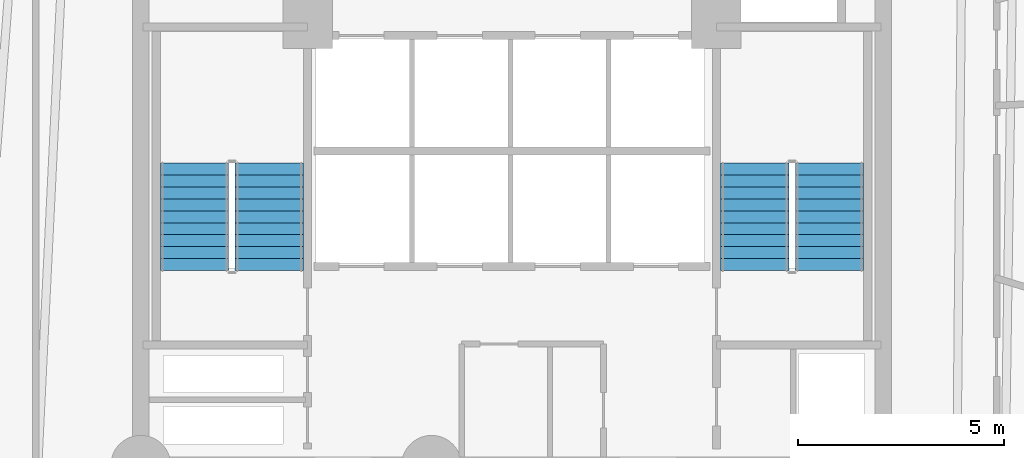
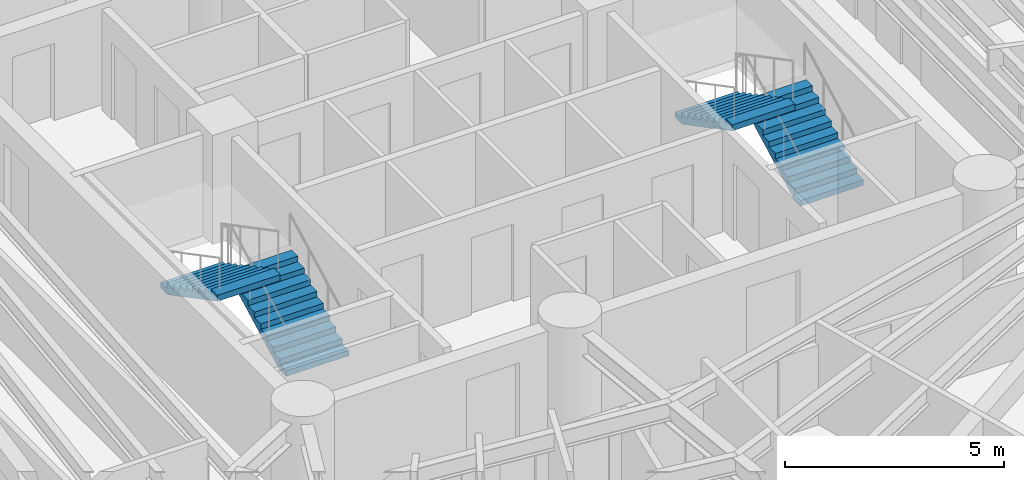
# One storey, part 7 of 8: 4 stair flights, 2 elements without a shape of their own.
"""IFC4 building model written with IfcOpenShell, lengths in metres."""

from ifc_helpers import new_model, si_unit, direction, frame, origin, place, context, subcontext, project, spatial, polyline, outline, extrude, material, type_object, element, aggregate, save


model = new_model("IFC4")

# Units and contexts
model_context = context("Model", 3, precision=1e-05, world=origin(), true_north=direction((0.0, 1.0)))
body_context = subcontext(model_context, "Body", "Model", "MODEL_VIEW")
ifc_project = project(units=[si_unit("LENGTHUNIT", "METRE"), si_unit("AREAUNIT", "SQUARE_METRE"), si_unit("VOLUMEUNIT", "CUBIC_METRE"), si_unit("PLANEANGLEUNIT", "RADIAN"), si_unit("MASSUNIT", "GRAM", prefix="KILO")], contexts=[model_context])

# Site, building, storey
site_placement = place(None, origin())
site = spatial("IfcSite", under=ifc_project, at=site_placement, CompositionType="ELEMENT")
building_placement = place(site_placement, origin())
building = spatial("IfcBuilding", under=site, at=building_placement, Name="Karkom Vertical University and Central Library", CompositionType="ELEMENT")
storey_placement = place(building_placement, frame((0.0, 0.0, 102.300048828125)))
storey = spatial("IfcBuildingStorey", under=building, at=storey_placement, Name="L27", CompositionType="ELEMENT", Elevation=102.300048828125)

# Stair, stair flights
ifc_material = material(Name="Concrete C45/55", Category="concrete")
stair_type = type_object("IfcStairType", Name="INT-STR-ST-MAIN", PredefinedType="HALF_TURN_STAIR", material=ifc_material)
stair_1_placement = place(storey_placement, origin())
stair_1 = element("IfcStair", 1, at=stair_1_placement, inside=storey, type_object=stair_type, Name="Level 27 Tower Protected Exit Stair ST-1", PredefinedType="HALF_TURN_STAIR")
stair_flight_type = type_object("IfcStairFlightType", Name="INT-SFL-ST-MAIN", PredefinedType="STRAIGHT", material=ifc_material)
stair_flight_1_placement = place(storey_placement, frame((22.614990234375, 23.02001953125, 0.0), z_axis=(0.0, 0.0, 1.0), x_axis=(0.0, 1.0, 0.0)))
stair_flight_1 = element("IfcStairFlight", 2, at=stair_flight_1_placement, type_object=stair_flight_type, Name="ST-1 flight 1", NumberOfRisers=10, NumberOfTreads=9, PredefinedType="STRAIGHT", RiserHeight=0.1525, TreadLength=0.29, context=body_context, shape_type="SweptSolid", body=[
    extrude(outline(polyline([(0.0, 0.0), (0.0, 0.152587890625), (0.2900390625, 0.152587890625), (0.2900390625, 0.304931640625), (0.580078125, 0.304931640625), (0.580078125, 0.45751953125), (0.8701171875, 0.45751953125), (0.8701171875, 0.610107421875), (1.159912109375, 0.610107421875), (1.159912109375, 0.762451171875), (1.449951171875, 0.762451171875), (1.449951171875, 0.9150390625), (1.739990234375, 0.9150390625), (1.739990234375, 1.0673828125), (2.030029296875, 1.0673828125), (2.030029296875, 1.219970703125), (2.320068359375, 1.219970703125), (2.320068359375, 1.37255859375), (2.610107421875, 1.37255859375), (2.610107421875, 1.52490234375), (2.610107421875, 1.203125), (0.322021484375, 0.0), (0.0, 0.0)])), frame((0.0, 0.824951171875, 0.0), z_axis=(0.0, -1.0, 0.0), x_axis=(1.0, 0.0, 0.0)), (0.0, 0.0, 1.0), 1.64990234375),
])
stair_flight_2_placement = place(storey_placement, frame((20.804931640625, 25.6298828125, 1.52490234375), z_axis=(0.0, 0.0, 1.0), x_axis=(0.0, -1.0, 0.0)))
stair_flight_2 = element("IfcStairFlight", 3, at=stair_flight_2_placement, type_object=stair_flight_type, Name="ST-1 flight 2", NumberOfRisers=10, NumberOfTreads=9, PredefinedType="STRAIGHT", RiserHeight=0.1525, TreadLength=0.29, context=body_context, shape_type="SweptSolid", body=[
    extrude(outline(polyline([(0.0, 0.0), (0.0, 0.152587890625), (0.2900390625, 0.152587890625), (0.2900390625, 0.304931640625), (0.580078125, 0.304931640625), (0.580078125, 0.45751953125), (0.8701171875, 0.45751953125), (0.8701171875, 0.610107421875), (1.159912109375, 0.610107421875), (1.159912109375, 0.762451171875), (1.449951171875, 0.762451171875), (1.449951171875, 0.9150390625), (1.739990234375, 0.9150390625), (1.739990234375, 1.0673828125), (2.030029296875, 1.0673828125), (2.030029296875, 1.219970703125), (2.320068359375, 1.219970703125), (2.320068359375, 1.37255859375), (2.610107421875, 1.37255859375), (2.610107421875, 1.52490234375), (2.610107421875, 1.203125), (0.322021484375, 0.0), (0.0, 0.0)])), frame((0.0, 0.824951171875, 0.0), z_axis=(0.0, -1.0, 0.0), x_axis=(1.0, 0.0, 0.0)), (0.0, 0.0, 1.0), 1.64990234375),
])
aggregate(stair_1, [stair_flight_1, stair_flight_2])

stair_2_placement = place(storey_placement, origin())
stair_2 = element("IfcStair", 4, at=stair_2_placement, inside=storey, type_object=stair_type, Name="Level 27 Tower Protected Exit Stair ST-2", PredefinedType="HALF_TURN_STAIR")
stair_flight_3_placement = place(storey_placement, frame((36.195068359375, 23.02001953125, 0.0), z_axis=(0.0, 0.0, 1.0), x_axis=(0.0, 1.0, 0.0)))
stair_flight_3 = element("IfcStairFlight", 5, at=stair_flight_3_placement, type_object=stair_flight_type, Name="ST-2 flight 1", NumberOfRisers=10, NumberOfTreads=9, PredefinedType="STRAIGHT", RiserHeight=0.1525, TreadLength=0.29, context=body_context, shape_type="SweptSolid", body=[
    extrude(outline(polyline([(0.0, 0.0), (0.0, 0.152587890625), (0.2900390625, 0.152587890625), (0.2900390625, 0.304931640625), (0.580078125, 0.304931640625), (0.580078125, 0.45751953125), (0.8701171875, 0.45751953125), (0.8701171875, 0.610107421875), (1.159912109375, 0.610107421875), (1.159912109375, 0.762451171875), (1.449951171875, 0.762451171875), (1.449951171875, 0.9150390625), (1.739990234375, 0.9150390625), (1.739990234375, 1.0673828125), (2.030029296875, 1.0673828125), (2.030029296875, 1.219970703125), (2.320068359375, 1.219970703125), (2.320068359375, 1.37255859375), (2.610107421875, 1.37255859375), (2.610107421875, 1.52490234375), (2.610107421875, 1.203125), (0.322021484375, 0.0), (0.0, 0.0)])), frame((0.0, 0.824951171875, 0.0), z_axis=(0.0, -1.0, 0.0), x_axis=(1.0, 0.0, 0.0)), (0.0, 0.0, 1.0), 1.64990234375),
])
stair_flight_4_placement = place(storey_placement, frame((34.385009765625, 25.6298828125, 1.52490234375), z_axis=(0.0, 0.0, 1.0), x_axis=(0.0, -1.0, 0.0)))
stair_flight_4 = element("IfcStairFlight", 6, at=stair_flight_4_placement, type_object=stair_flight_type, Name="ST-2 flight 2", NumberOfRisers=10, NumberOfTreads=9, PredefinedType="STRAIGHT", RiserHeight=0.1525, TreadLength=0.29, context=body_context, shape_type="SweptSolid", body=[
    extrude(outline(polyline([(0.0, 0.0), (0.0, 0.152587890625), (0.2900390625, 0.152587890625), (0.2900390625, 0.304931640625), (0.580078125, 0.304931640625), (0.580078125, 0.45751953125), (0.8701171875, 0.45751953125), (0.8701171875, 0.610107421875), (1.159912109375, 0.610107421875), (1.159912109375, 0.762451171875), (1.449951171875, 0.762451171875), (1.449951171875, 0.9150390625), (1.739990234375, 0.9150390625), (1.739990234375, 1.0673828125), (2.030029296875, 1.0673828125), (2.030029296875, 1.219970703125), (2.320068359375, 1.219970703125), (2.320068359375, 1.37255859375), (2.610107421875, 1.37255859375), (2.610107421875, 1.52490234375), (2.610107421875, 1.203125), (0.322021484375, 0.0), (0.0, 0.0)])), frame((0.0, 0.824951171875, 0.0), z_axis=(0.0, -1.0, 0.0), x_axis=(1.0, 0.0, 0.0)), (0.0, 0.0, 1.0), 1.64990234375),
])
aggregate(stair_2, [stair_flight_3, stair_flight_4])

save(model, "model.ifc")
